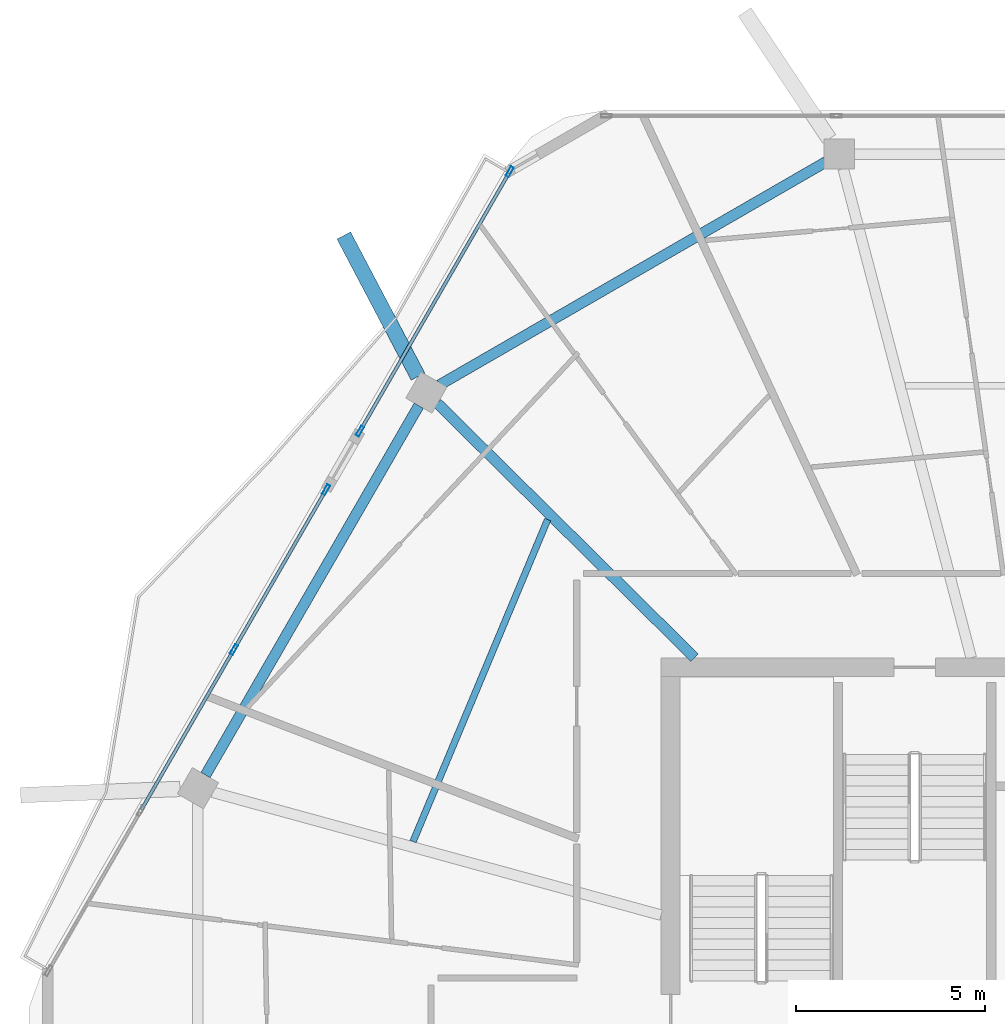
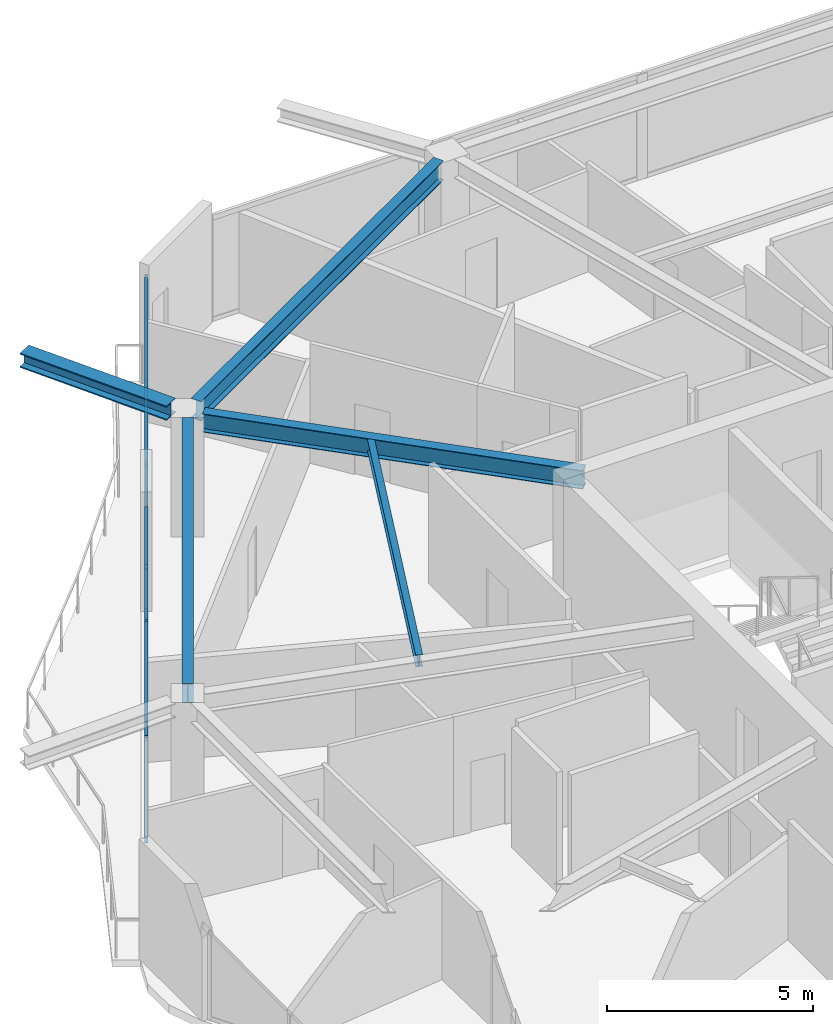
# One storey, part 7 of 19: 10 members, 5 beams, 2 elements without a shape of their own.
"""IFC4 building model written with IfcOpenShell, lengths in metres."""

import ifcopenshell
import ifcopenshell.guid

model = None  # the IFC model being written
_history = None  # IfcOwnerHistory: only IFC2X3 demands one
_inside = {}  # id of a spatial element -> (the spatial element, [elements in it])
_under = {}  # id of a project, library or spatial element -> (it, [spatial elements below it])
_declared = {}  # id of a project -> (the project, [libraries it declares])
_typed = {}  # id of a type object -> (the type object, [elements of that type])
_made_of = {}  # id of a material, layer set ... -> (it, [elements and type objects made of it])


def new_model(schema):
    """Start an empty IFC model of exactly this schema.

    Asked for "IFC4X3", IfcOpenShell would pick the latest addendum, in which some entities
    have other attributes; the version numbers below select the first issue.
    IFC2X3 requires an IfcOwnerHistory on every rooted entity: one is made here for all.
    """
    global model, _history
    if schema == "IFC4X3":
        model = ifcopenshell.file(schema_version=(4, 3, 0, 0))
    else:
        model = ifcopenshell.file(schema=schema)
    _inside.clear()
    _under.clear()
    _declared.clear()
    _typed.clear()
    _made_of.clear()
    _history = None
    if model.schema == "IFC2X3":
        org = make("IfcOrganization", Name="unknown")
        user = make(
            "IfcPersonAndOrganization",
            ThePerson=make("IfcPerson", FamilyName="unknown"),
            TheOrganization=org,
        )
        app = make(
            "IfcApplication",
            ApplicationDeveloper=org,
            Version="unknown",
            ApplicationFullName="unknown",
            ApplicationIdentifier="unknown",
        )
        _history = make(
            "IfcOwnerHistory",
            OwningUser=user,
            OwningApplication=app,
            ChangeAction="ADDED",
            CreationDate=0,
        )
    return model


def make(cls, **values):
    """One entity of the class cls with the attributes given. An attribute that is None is left unset."""
    return model.create_entity(
        cls, **{name: value for name, value in values.items() if value is not None}
    )


def rooted(cls, **values):
    """An entity with a GlobalId (a new one), such as an element, a storey or a relation."""
    return make(cls, GlobalId=ifcopenshell.guid.new(), OwnerHistory=_history, **values)


def si_unit(unit_type, name, prefix=None):
    """IfcSIUnit, for example si_unit("LENGTHUNIT", "METRE", prefix="MILLI")."""
    return make("IfcSIUnit", UnitType=unit_type, Prefix=prefix, Name=name)


def assignment(units):
    """IfcUnitAssignment: the units of a project."""
    return None if units is None else make("IfcUnitAssignment", Units=units)


def point(xyz):
    """IfcCartesianPoint."""
    return None if xyz is None else make("IfcCartesianPoint", Coordinates=xyz)


def direction(xyz):
    """IfcDirection."""
    return None if xyz is None else make("IfcDirection", DirectionRatios=xyz)


def frame(location, z_axis=None, x_axis=None):
    """IfcAxis2Placement3D, a coordinate frame: its origin and axes. An axis left out is left unset."""
    return make(
        "IfcAxis2Placement3D",
        Location=point(location),
        Axis=direction(z_axis),
        RefDirection=direction(x_axis),
    )


def frame_2d(location, x_axis=None):
    """IfcAxis2Placement2D, a coordinate frame in the plane: its origin and x axis."""
    return make(
        "IfcAxis2Placement2D", Location=point(location), RefDirection=direction(x_axis)
    )


def origin():
    """The frame at (0, 0, 0) with its axes left unset."""
    return frame((0.0, 0.0, 0.0))


def origin_2d():
    """The frame at (0, 0) in the plane with its x axis left unset."""
    return frame_2d((0.0, 0.0))


def place(relative_to, where):
    """IfcLocalPlacement: puts the frame where relative to a parent placement (None: the world)."""
    return make(
        "IfcLocalPlacement", PlacementRelTo=relative_to, RelativePlacement=where
    )


def context(
    kind, dimensions, precision=None, world=None, true_north=None, identifier=None
):
    """IfcGeometricRepresentationContext, for example the 3D "Model" context."""
    return make(
        "IfcGeometricRepresentationContext",
        ContextIdentifier=identifier,
        ContextType=kind,
        CoordinateSpaceDimension=dimensions,
        Precision=precision,
        WorldCoordinateSystem=world,
        TrueNorth=true_north,
    )


def subcontext(parent, identifier, kind, view, scale=None):
    """IfcGeometricRepresentationSubContext, for example "Body" below "Model"."""
    return make(
        "IfcGeometricRepresentationSubContext",
        ContextIdentifier=identifier,
        ContextType=kind,
        ParentContext=parent,
        TargetScale=scale,
        TargetView=view,
    )


def project(units=None, contexts=None):
    """IfcProject with its units and contexts."""
    return rooted(
        "IfcProject",
        Name="project",
        RepresentationContexts=contexts,
        UnitsInContext=assignment(units),
    )


def spatial(cls, under=None, at=None, **own):
    """A site, building, storey or space (cls), placed at a placement, below another one or the project."""
    s = rooted(cls, ObjectPlacement=at, **own)
    if under is not None:
        _under.setdefault(under.id(), (under, []))[1].append(s)
    return s


def profile(cls, at=None, kind="AREA", **sizes):
    """A parametric profile (cls). Its sizes go by their IFC names, for example OverallWidth=200.0."""
    return make(cls, ProfileType=kind, Position=at, **sizes)


def hollow_rectangle(**sizes):
    """IfcRectangleHollowProfileDef."""
    return profile("IfcRectangleHollowProfileDef", **sizes)


def i_section(**sizes):
    """IfcIShapeProfileDef."""
    return profile("IfcIShapeProfileDef", **sizes)


def extrude(swept, where, along, depth):
    """IfcExtrudedAreaSolid: the profile swept, set in the frame where, extruded along a direction by depth."""
    return make(
        "IfcExtrudedAreaSolid",
        SweptArea=swept,
        Position=where,
        ExtrudedDirection=direction(along),
        Depth=depth,
    )


def shape(context_of_items, identifier, shape_type, items):
    """IfcShapeRepresentation: the items that make up one representation, for example the "Body"."""
    return make(
        "IfcShapeRepresentation",
        ContextOfItems=context_of_items,
        RepresentationIdentifier=identifier,
        RepresentationType=shape_type,
        Items=items,
    )


def material(Name=None, Category=None):
    """IfcMaterial."""
    return make("IfcMaterial", Name=Name, Category=Category)


def material_profile(
    of_material, cross_section, Name=None, Category=None, Priority=None
):
    """IfcMaterialProfile: a cross section and its material."""
    return make(
        "IfcMaterialProfile",
        Name=Name,
        Material=of_material,
        Profile=cross_section,
        Priority=Priority,
        Category=Category,
    )


def profile_set(profiles, Name=None, composite=None):
    """IfcMaterialProfileSet."""
    return make(
        "IfcMaterialProfileSet",
        Name=Name,
        MaterialProfiles=profiles,
        CompositeProfile=composite,
    )


def made_of(thing, what):
    """Note that an element or type object is made of a material, layer set ...; save() writes the relation."""
    if what is not None:
        _made_of.setdefault(what.id(), (what, []))[1].append(thing)
    return thing


def type_object(cls, material=None, **own):
    """A type object (cls), such as IfcWallType, which elements share."""
    return made_of(rooted(cls, **own), material)


def element(
    cls,
    number,
    at=None,
    inside=None,
    cuts=None,
    type_object=None,
    material=None,
    context=None,
    identifier="Body",
    shape_type=None,
    held_by="IfcProductDefinitionShape",
    body=None,
    shapes=None,
    **own,
):
    """One element of the class cls, such as IfcWall. Its Tag is "e" and its number.

    at: its placement. inside: the storey or other place that contains it. cuts: it is an
    opening in that element (IfcRelVoidsElement). A single representation is given by context,
    identifier, shape_type and body (its items); several are given by shapes. held_by: the class
    of the entity that holds the representations. save() writes the other relations.
    """
    e = rooted(cls, Tag="e%d" % number, ObjectPlacement=at, **own)
    if body is not None:
        shapes = [shape(context, identifier, shape_type, body)]
    if shapes is not None:
        e.Representation = make(held_by, Representations=shapes)
    if inside is not None:
        _inside.setdefault(inside.id(), (inside, []))[1].append(e)
    if cuts is not None:
        rooted(
            "IfcRelVoidsElement", RelatingBuildingElement=cuts, RelatedOpeningElement=e
        )
    if type_object is not None:
        _typed.setdefault(type_object.id(), (type_object, []))[1].append(e)
    return made_of(e, material)


def aggregate(whole, parts):
    """IfcRelAggregates: a whole, such as a stair, and the parts it consists of."""
    return rooted("IfcRelAggregates", RelatingObject=whole, RelatedObjects=parts)


def save(model, path):
    """Write the relations noted so far, then the file.

    IfcRelAggregates (storeys below a building ...), IfcRelContainedInSpatialStructure (elements
    in a storey), IfcRelDefinesByType, IfcRelAssociatesMaterial and IfcRelDeclares: one each for
    every whole, place, type object, material and project.
    """
    for whole, parts in _under.values():
        aggregate(whole, parts)
    for where, things in _inside.values():
        rooted(
            "IfcRelContainedInSpatialStructure",
            RelatedElements=things,
            RelatingStructure=where,
        )
    for kind, things in _typed.values():
        rooted("IfcRelDefinesByType", RelatedObjects=things, RelatingType=kind)
    for what, things in _made_of.values():
        rooted("IfcRelAssociatesMaterial", RelatedObjects=things, RelatingMaterial=what)
    for by, libraries in _declared.values():
        rooted("IfcRelDeclares", RelatingContext=by, RelatedDefinitions=libraries)
    model.write(path)


model = new_model("IFC4")

# Units and contexts
model_context = context("Model", 3, precision=1e-05, world=origin(), true_north=direction((0.0, 1.0)))
body_context = subcontext(model_context, "Body", "Model", "MODEL_VIEW")
ifc_project = project(units=[si_unit("LENGTHUNIT", "METRE"), si_unit("AREAUNIT", "SQUARE_METRE"), si_unit("VOLUMEUNIT", "CUBIC_METRE"), si_unit("PLANEANGLEUNIT", "RADIAN"), si_unit("MASSUNIT", "GRAM", prefix="KILO")], contexts=[model_context])

# Site, building, storey
site_placement = place(None, origin())
site = spatial("IfcSite", under=ifc_project, at=site_placement, CompositionType="ELEMENT")
building_placement = place(site_placement, origin())
building = spatial("IfcBuilding", under=site, at=building_placement, Name="Zuhravey Tower", CompositionType="ELEMENT")
storey_placement = place(building_placement, frame((0.0, 0.0, 327.199951171875)))
storey = spatial("IfcBuildingStorey", under=building, at=storey_placement, Name="L83", CompositionType="ELEMENT", Elevation=327.199951171875)

# Curtain wall, members
ifc_material_1 = material(Name="Thermally broken anodised aluminium", Category="aluminium")
curtain_wall_type = type_object("IfcCurtainWallType", Name="Zone 3-4 High-Rise Curtain Wall CW4", PredefinedType="NOTDEFINED", material=ifc_material_1)
curtain_wall_1_placement = place(storey_placement, origin())
curtain_wall_1 = element("IfcCurtainWall", 1, at=curtain_wall_1_placement, inside=storey, type_object=curtain_wall_type, Name="L83 CW4 CW-L83-F3-1", PredefinedType="NOTDEFINED")
ifc_material_2 = material(Name="Anodised aluminium", Category="aluminium")
ifc_material_profile_1 = material_profile(ifc_material_2, hollow_rectangle(XDim=0.090087890625, YDim=0.284912109375, WallThickness=0.0048828125, at=origin_2d()), Name="ALU-RHS-90x285x5")
ifc_profile_set_1 = profile_set([ifc_material_profile_1], Name="Anodised aluminium")
member_type_1 = type_object("IfcMemberType", Name="Curtain-Wall Mullion 90x180", PredefinedType="MULLION", material=ifc_profile_set_1)
member_1_placement = place(storey_placement, frame((13.955322265625, 41.9658203125, 0.0), z_axis=(0.0, 0.0, 1.0), x_axis=(-0.866026966766, 0.499997292826, 0.0)))
member_1 = element("IfcMember", 2, at=member_1_placement, type_object=member_type_1, Name="CW4 mullion 3", PredefinedType="MULLION", context=body_context, shape_type="SweptSolid", body=[
    extrude(hollow_rectangle(XDim=0.090087890625, YDim=0.284912109375, WallThickness=0.0048828125, at=origin_2d()), origin(), (0.0, 0.0, 1.0), 3.1220703125),
])
member_2_placement = place(storey_placement, frame((16.394775390625, 46.19091796875, 0.0), z_axis=(0.0, 0.0, 1.0), x_axis=(-0.866026966766, 0.499997292826, 0.0)))
member_2 = element("IfcMember", 3, at=member_2_placement, type_object=member_type_1, Name="CW4 mullion 4", PredefinedType="MULLION", context=body_context, shape_type="SweptSolid", body=[
    extrude(hollow_rectangle(XDim=0.090087890625, YDim=0.284912109375, WallThickness=0.0048828125, at=origin_2d()), origin(), (0.0, 0.0, 1.0), 3.1220703125),
])

curtain_wall_2_placement = place(storey_placement, origin())
curtain_wall_2 = element("IfcCurtainWall", 4, at=curtain_wall_2_placement, inside=storey, type_object=curtain_wall_type, Name="L83 CW4 CW-L83-F3-2", PredefinedType="NOTDEFINED")
member_3_placement = place(storey_placement, frame((17.289794921875, 47.7412109375, 0.0), z_axis=(0.0, 0.0, 1.0), x_axis=(-0.866024198196, 0.500002088135, 0.0)))
member_3 = element("IfcMember", 5, at=member_3_placement, type_object=member_type_1, Name="CW4 mullion 1", PredefinedType="MULLION", context=body_context, shape_type="SweptSolid", body=[
    extrude(hollow_rectangle(XDim=0.090087890625, YDim=0.284912109375, WallThickness=0.0048828125, at=origin_2d()), origin(), (0.0, 0.0, 1.0), 3.1220703125),
])
member_4_placement = place(storey_placement, frame((21.248291015625, 54.59765625, 0.0), z_axis=(0.0, 0.0, 1.0), x_axis=(-0.866024198196, 0.500002088135, 0.0)))
member_4 = element("IfcMember", 6, at=member_4_placement, type_object=member_type_1, Name="CW4 mullion 2", PredefinedType="MULLION", context=body_context, shape_type="SweptSolid", body=[
    extrude(hollow_rectangle(XDim=0.090087890625, YDim=0.284912109375, WallThickness=0.0048828125, at=origin_2d()), origin(), (0.0, 0.0, 1.0), 3.1220703125),
])

# Member
ifc_material_profile_2 = material_profile(ifc_material_2, hollow_rectangle(XDim=0.090087890625, YDim=0.14990234375, WallThickness=0.0048828125, at=origin_2d()), Name="ALU-RHS-90x150x5")
ifc_profile_set_2 = profile_set([ifc_material_profile_2], Name="Anodised aluminium")
member_type_2 = type_object("IfcMemberType", Name="Curtain-Wall Transom 90x150", PredefinedType="USERDEFINED", material=ifc_profile_set_2)
member_5_placement = place(storey_placement, frame((11.51611328125, 37.74072265625, 0.045166015625), z_axis=(0.499990616035, 0.866030821551, 0.0), x_axis=(-0.866030821551, 0.499990616035, 0.0)))
member_5 = element("IfcMember", 7, at=member_5_placement, type_object=member_type_2, Name="CW4 transom 2.1", ObjectType="TRANSOM", PredefinedType="USERDEFINED", context=body_context, shape_type="SweptSolid", body=[
    extrude(hollow_rectangle(XDim=0.090087890625, YDim=0.14990234375, WallThickness=0.0048828125, at=origin_2d()), origin(), (0.0, 0.0, 1.0), 4.83349609375),
])

member_6_placement = place(storey_placement, frame((11.51611328125, 37.74072265625, 3.0771484375), z_axis=(0.499990616035, 0.866030821551, 0.0), x_axis=(-0.866030821551, 0.499990616035, 0.0)))
member_6 = element("IfcMember", 8, at=member_6_placement, type_object=member_type_2, Name="CW4 transom 2.2", ObjectType="TRANSOM", PredefinedType="USERDEFINED", context=body_context, shape_type="SweptSolid", body=[
    extrude(hollow_rectangle(XDim=0.090087890625, YDim=0.14990234375, WallThickness=0.0048828125, at=origin_2d()), origin(), (0.0, 0.0, 1.0), 4.83349609375),
])

member_7_placement = place(storey_placement, frame((13.977783203125, 42.0048828125, 0.045166015625), z_axis=(0.500021066857, 0.866013240487, 0.0), x_axis=(-0.866013240487, 0.500021066857, 0.0)))
member_7 = element("IfcMember", 9, at=member_7_placement, type_object=member_type_2, Name="CW4 transom 3.1", ObjectType="TRANSOM", PredefinedType="USERDEFINED", context=body_context, shape_type="SweptSolid", body=[
    extrude(hollow_rectangle(XDim=0.090087890625, YDim=0.14990234375, WallThickness=0.0048828125, at=origin_2d()), origin(), (0.0, 0.0, 1.0), 4.788818359375),
])

member_8_placement = place(storey_placement, frame((13.977783203125, 42.0048828125, 3.0771484375), z_axis=(0.500021066857, 0.866013240487, 0.0), x_axis=(-0.866013240487, 0.500021066857, 0.0)))
member_8 = element("IfcMember", 10, at=member_8_placement, type_object=member_type_2, Name="CW4 transom 3.2", ObjectType="TRANSOM", PredefinedType="USERDEFINED", context=body_context, shape_type="SweptSolid", body=[
    extrude(hollow_rectangle(XDim=0.090087890625, YDim=0.14990234375, WallThickness=0.0048828125, at=origin_2d()), origin(), (0.0, 0.0, 1.0), 4.788818359375),
])

aggregate(curtain_wall_1, [member_1, member_2, member_5, member_6, member_7, member_8])

member_9_placement = place(storey_placement, frame((17.312255859375, 47.780029296875, 0.045166015625), z_axis=(0.499996953601, 0.866027162616, 0.0), x_axis=(-0.866027162616, 0.499996953601, 0.0)))
member_9 = element("IfcMember", 11, at=member_9_placement, type_object=member_type_2, Name="CW4 transom 1.1", ObjectType="TRANSOM", PredefinedType="USERDEFINED", context=body_context, shape_type="SweptSolid", body=[
    extrude(hollow_rectangle(XDim=0.090087890625, YDim=0.14990234375, WallThickness=0.0048828125, at=origin_2d()), origin(), (0.0, 0.0, 1.0), 7.8271484375),
])

member_10_placement = place(storey_placement, frame((17.312255859375, 47.780029296875, 3.0771484375), z_axis=(0.499996953601, 0.866027162616, 0.0), x_axis=(-0.866027162616, 0.499996953601, 0.0)))
member_10 = element("IfcMember", 12, at=member_10_placement, type_object=member_type_2, Name="CW4 transom 1.2", ObjectType="TRANSOM", PredefinedType="USERDEFINED", context=body_context, shape_type="SweptSolid", body=[
    extrude(hollow_rectangle(XDim=0.090087890625, YDim=0.14990234375, WallThickness=0.0048828125, at=origin_2d()), origin(), (0.0, 0.0, 1.0), 7.8271484375),
])

aggregate(curtain_wall_2, [member_3, member_4, member_9, member_10])

# Beams
ifc_material_3 = material(Name="Steel SM460", Category="steel")
ifc_material_profile_3 = material_profile(ifc_material_3, i_section(OverallWidth=0.406982421875, OverallDepth=0.427978515625, WebThickness=0.02001953125, FlangeThickness=0.034912109375, at=origin_2d()), Name="H-428x407x20x35")
ifc_profile_set_3 = profile_set([ifc_material_profile_3], Name="Steel SM460")
beam_type_1 = type_object("IfcBeamType", Name="Exoskeleton Node Tie Beam H428x407", PredefinedType="BEAM", material=ifc_profile_set_3)
beam_1_placement = place(storey_placement, frame((18.8232421875, 49.183837890625, 3.3359375), z_axis=(-0.465703450282, 0.884940843444, 0.0), x_axis=(-0.884940843444, -0.465703450282, 0.0)))
element("IfcBeam", 13, at=beam_1_placement, inside=storey, type_object=beam_type_1, Name="L83 Exoskeleton Node Tie NT1-05", PredefinedType="BEAM", context=body_context, shape_type="SweptSolid", body=[
    extrude(i_section(OverallWidth=0.406982421875, OverallDepth=0.427978515625, WebThickness=0.02001953125, FlangeThickness=0.034912109375, at=origin_2d()), origin(), (0.0, 0.0, 1.0), 4.2138671875),
])
ifc_material_4 = material(Name="Steel SM355", Category="steel")
ifc_material_profile_4 = material_profile(ifc_material_4, i_section(OverallWidth=0.280029296875, OverallDepth=0.580078125, WebThickness=0.011962890625, FlangeThickness=0.01904296875, at=origin_2d()), Name="H-580x280x12x19")
ifc_profile_set_4 = profile_set([ifc_material_profile_4], Name="Steel SM355")
beam_type_2 = type_object("IfcBeamType", Name="Perimeter Ring Beam H580x280", PredefinedType="BEAM", material=ifc_profile_set_4)
beam_2_placement = place(storey_placement, frame((29.6123046875, 54.862548828125, 3.260009765625), z_axis=(-0.866023977509, -0.500002470373, 0.0), x_axis=(0.500002470373, -0.866023977509, 0.0)))
element("IfcBeam", 14, at=beam_2_placement, inside=storey, type_object=beam_type_2, Name="L83 PB4 BM-L83-PB-04", PredefinedType="BEAM", context=body_context, shape_type="SweptSolid", body=[
    extrude(i_section(OverallWidth=0.280029296875, OverallDepth=0.580078125, WebThickness=0.011962890625, FlangeThickness=0.01904296875, at=origin_2d()), origin(), (0.0, 0.0, 1.0), 11.798828125),
])
beam_3_placement = place(storey_placement, frame((18.84375, 48.41259765625, 3.260009765625), z_axis=(-0.500006198144, -0.866021825255, 0.0), x_axis=(0.866021825255, -0.500006198144, 0.0)))
element("IfcBeam", 15, at=beam_3_placement, inside=storey, type_object=beam_type_2, Name="L83 PB4 BM-L83-PB-05", PredefinedType="BEAM", context=body_context, shape_type="SweptSolid", body=[
    extrude(i_section(OverallWidth=0.280029296875, OverallDepth=0.580078125, WebThickness=0.011962890625, FlangeThickness=0.01904296875, at=origin_2d()), origin(), (0.0, 0.0, 1.0), 11.271240234375),
])
ifc_material_profile_5 = material_profile(ifc_material_4, i_section(OverallWidth=0.280029296875, OverallDepth=0.550048828125, WebThickness=0.010986328125, FlangeThickness=0.01806640625, at=origin_2d()), Name="H-550x280x11x18")
ifc_profile_set_5 = profile_set([ifc_material_profile_5], Name="Steel SM355")
beam_type_3 = type_object("IfcBeamType", Name="Radial Primary Girder H550x280", PredefinedType="BEAM", material=ifc_profile_set_5)
beam_4_placement = place(storey_placement, frame((26.134765625, 41.7529296875, 3.275146484375), z_axis=(-0.711153035666, 0.703037239314, 0.0), x_axis=(-0.703037239314, -0.711153035666, 0.0)))
element("IfcBeam", 16, at=beam_4_placement, inside=storey, type_object=beam_type_3, Name="L83 RG4 BM-L83-RAD-05", PredefinedType="BEAM", context=body_context, shape_type="SweptSolid", body=[
    extrude(i_section(OverallWidth=0.280029296875, OverallDepth=0.550048828125, WebThickness=0.010986328125, FlangeThickness=0.01806640625, at=origin_2d()), origin(), (0.0, 0.0, 1.0), 9.566162109375),
])
ifc_material_profile_6 = material_profile(ifc_material_4, i_section(OverallWidth=0.175048828125, OverallDepth=0.35009765625, WebThickness=0.007080078125, FlangeThickness=0.010986328125, at=origin_2d()), Name="H-350x175x7x11")
ifc_profile_set_6 = profile_set([ifc_material_profile_6], Name="Steel SM355")
beam_type_4 = type_object("IfcBeamType", Name="Secondary Floor Joist H350x175", PredefinedType="JOIST", material=ifc_profile_set_6)
beam_5_placement = place(storey_placement, frame((22.2509765625, 45.40478515625, 3.375), z_axis=(-0.385657891576, -0.922641853953, 0.0), x_axis=(0.922641853953, -0.385657891576, 0.0)))
element("IfcBeam", 17, at=beam_5_placement, inside=storey, type_object=beam_type_4, Name="L83 SJ3 BM-L83-SJ-05-1", PredefinedType="JOIST", context=body_context, shape_type="SweptSolid", body=[
    extrude(i_section(OverallWidth=0.175048828125, OverallDepth=0.35009765625, WebThickness=0.007080078125, FlangeThickness=0.010986328125, at=origin_2d()), origin(), (0.0, 0.0, 1.0), 9.226806640625),
])

save(model, "model.ifc")
